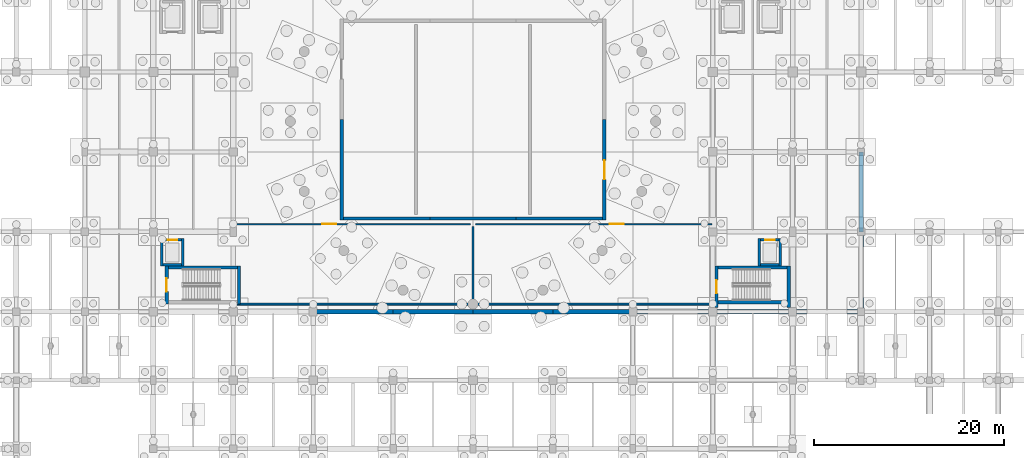
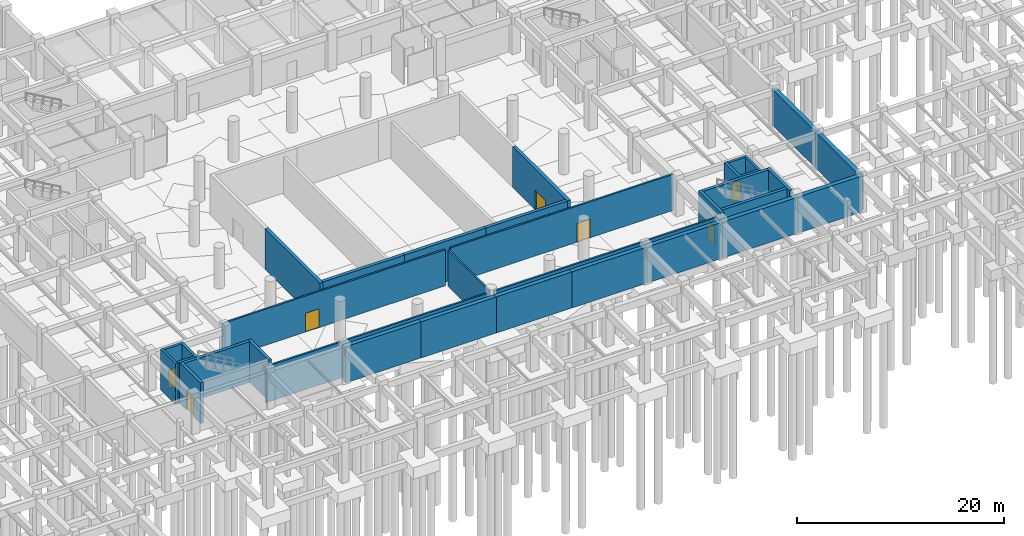
# One storey, part 31 of 44: 34 walls, 7 doors, 7 openings.
"""IFC4 building model written with IfcOpenShell, lengths in metres."""

from ifc_helpers import new_model, si_unit, direction, frame, frame_2d, origin, place, context, subcontext, project, spatial, rectangle, extrude, material, layer, layer_set, type_object, element, fill, save


model = new_model("IFC4")

# Units and contexts
model_context = context("Model", 3, precision=1e-05, world=origin(), true_north=direction((0.0, 1.0)))
body_context = subcontext(model_context, "Body", "Model", "MODEL_VIEW")
ifc_project = project(units=[si_unit("LENGTHUNIT", "METRE"), si_unit("AREAUNIT", "SQUARE_METRE"), si_unit("VOLUMEUNIT", "CUBIC_METRE"), si_unit("PLANEANGLEUNIT", "RADIAN"), si_unit("MASSUNIT", "GRAM", prefix="KILO")], contexts=[model_context])

# Site, building, storey
site_placement = place(None, origin())
site = spatial("IfcSite", under=ifc_project, at=site_placement, CompositionType="ELEMENT")
building_placement = place(site_placement, origin())
building = spatial("IfcBuilding", under=site, at=building_placement, Name="Korsvaeld Concert Hall", CompositionType="ELEMENT")
storey_placement = place(building_placement, frame((0.0, 0.0, -4.800048828125)))
storey = spatial("IfcBuildingStorey", under=building, at=storey_placement, Name="B1", CompositionType="ELEMENT", Elevation=-4.800048828125)

# Walls
ifc_material_1 = material(Name="Concrete C35/45", Category="concrete")
ifc_layer_1 = layer(ifc_material_1, 0.47998046875)
ifc_layer_set_1 = layer_set([ifc_layer_1], Name="Concrete C35/45")
wall_type_1 = type_object("IfcWallType", Name="WL-B1-RET-480", PredefinedType="SOLIDWALL", material=ifc_layer_set_1)
wall_1_placement = place(storey_placement, frame((124.800048828125, 43.199951171875, 0.0), z_axis=(0.0, 0.0, 1.0), x_axis=(-1.0, 0.0, 0.0)))
element("IfcWall", 1, at=wall_1_placement, inside=storey, type_object=wall_type_1, Name="Exterior sandstone wall B1-001", PredefinedType="SOLIDWALL", context=body_context, shape_type="SweptSolid", body=[
    extrude(rectangle(XDim=7.199951171875, YDim=0.47998046875, at=frame_2d((3.60009765625, 0.0))), origin(), (0.0, 0.0, 1.0), 4.25),
])
wall_2_placement = place(storey_placement, frame((117.60009765625, 43.199951171875, 0.0), z_axis=(0.0, 0.0, 1.0), x_axis=(-1.0, 0.0, 0.0)))
element("IfcWall", 2, at=wall_2_placement, inside=storey, type_object=wall_type_1, Name="Exterior sandstone wall B1-002", PredefinedType="SOLIDWALL", context=body_context, shape_type="SweptSolid", body=[
    extrude(rectangle(XDim=8.400146484375, YDim=0.47998046875, at=frame_2d((4.2001953125, 0.0))), origin(), (0.0, 0.0, 1.0), 4.25),
])
wall_3_placement = place(storey_placement, frame((109.199951171875, 43.199951171875, 0.0), z_axis=(0.0, 0.0, 1.0), x_axis=(-1.0, 0.0, 0.0)))
element("IfcWall", 3, at=wall_3_placement, inside=storey, type_object=wall_type_1, Name="Exterior sandstone wall B1-003", PredefinedType="SOLIDWALL", context=body_context, shape_type="SweptSolid", body=[
    extrude(rectangle(XDim=8.39990234375, YDim=0.47998046875, at=frame_2d((4.199951171875, 0.0))), origin(), (0.0, 0.0, 1.0), 4.25),
])
wall_4_placement = place(storey_placement, frame((100.800048828125, 43.199951171875, 0.0), z_axis=(0.0, 0.0, 1.0), x_axis=(-1.0, 0.0, 0.0)))
element("IfcWall", 4, at=wall_4_placement, inside=storey, type_object=wall_type_1, Name="Exterior sandstone wall B1-004", PredefinedType="SOLIDWALL", context=body_context, shape_type="SweptSolid", body=[
    extrude(rectangle(XDim=8.400146484375, YDim=0.47998046875, at=frame_2d((4.2001953125, 0.0))), origin(), (0.0, 0.0, 1.0), 4.25),
])
for number, where, z_axis, x_axis, name in (
    (5, (92.39990234375, 43.199951171875, 0.0), (0.0, 0.0, 1.0), (-1.0, 0.0, 0.0), "Exterior sandstone wall B1-005"),
    (6, (84.0, 43.199951171875, 0.0), (0.0, 0.0, 1.0), (-1.0, 0.0, 0.0), "Exterior sandstone wall B1-006"),
):
    element("IfcWall", number, at=place(storey_placement, frame(where, z_axis=z_axis, x_axis=x_axis)), inside=storey, type_object=wall_type_1, Name=name, PredefinedType="SOLIDWALL", context=body_context, shape_type="SweptSolid", body=[
        extrude(rectangle(XDim=8.39990234375, YDim=0.47998046875, at=frame_2d((4.199951171875, 0.0))), origin(), (0.0, 0.0, 1.0), 4.25),
    ])
wall_5_placement = place(storey_placement, frame((75.60009765625, 43.199951171875, 0.0), z_axis=(0.0, 0.0, 1.0), x_axis=(-1.0, 0.0, 0.0)))
element("IfcWall", 7, at=wall_5_placement, inside=storey, type_object=wall_type_1, Name="Exterior sandstone wall B1-007", PredefinedType="SOLIDWALL", context=body_context, shape_type="SweptSolid", body=[
    extrude(rectangle(XDim=8.400146484375, YDim=0.47998046875, at=frame_2d((4.2001953125, 0.0))), origin(), (0.0, 0.0, 1.0), 4.25),
])
wall_6_placement = place(storey_placement, frame((124.800048828125, 60.0, 0.0), z_axis=(0.0, 0.0, 1.0), x_axis=(0.0, -1.0, 0.0)))
element("IfcWall", 8, at=wall_6_placement, inside=storey, type_object=wall_type_1, Name="Exterior sandstone wall B1-051", PredefinedType="SOLIDWALL", context=body_context, shape_type="SweptSolid", body=[
    extrude(rectangle(XDim=8.39990234375, YDim=0.47998046875, at=frame_2d((4.199951171875, 0.0))), origin(), (0.0, 0.0, 1.0), 4.25),
])
wall_7_placement = place(storey_placement, frame((124.800048828125, 51.60009765625, 0.0), z_axis=(0.0, 0.0, 1.0), x_axis=(0.0, -1.0, 0.0)))
element("IfcWall", 9, at=wall_7_placement, inside=storey, type_object=wall_type_1, Name="Exterior sandstone wall B1-052", PredefinedType="SOLIDWALL", context=body_context, shape_type="SweptSolid", body=[
    extrude(rectangle(XDim=8.400146484375, YDim=0.47998046875, at=frame_2d((4.2001953125, 0.0))), origin(), (0.0, 0.0, 1.0), 4.25),
])
ifc_material_2 = material(Name="Concrete C40/50", Category="concrete")
ifc_layer_2 = layer(ifc_material_2, 0.340087890625)
ifc_layer_set_2 = layer_set([ifc_layer_2], Name="Concrete C40/50")
wall_type_2 = type_object("IfcWallType", Name="WL-CORE-340", PredefinedType="SHEAR", material=ifc_layer_set_2)
wall_8_placement = place(storey_placement, frame((59.39990234375, 44.030029296875, 0.0), z_axis=(0.0, 0.0, 1.0), x_axis=(0.0, 1.0, 0.0)))
element("IfcWall", 10, at=wall_8_placement, inside=storey, type_object=wall_type_2, Name="Core K3 shear wall B1 E", PredefinedType="SHEAR", context=body_context, shape_type="SweptSolid", body=[
    extrude(rectangle(XDim=3.97998046875, YDim=0.340087890625, at=frame_2d((1.989990234375, 0.0))), origin(), (0.0, 0.0, 1.0), 4.800048828125),
])
wall_9_placement = place(storey_placement, frame((59.22998046875, 47.840087890625, 0.0), z_axis=(0.0, 0.0, 1.0), x_axis=(-1.0, 0.0, 0.0)))
element("IfcWall", 11, at=wall_9_placement, inside=storey, type_object=wall_type_2, Name="Core K3 shear wall B1 N", PredefinedType="SHEAR", context=body_context, shape_type="SweptSolid", body=[
    extrude(rectangle(XDim=7.260009765625, YDim=0.340087890625, at=frame_2d((3.6298828125, 0.0))), origin(), (0.0, 0.0, 1.0), 4.800048828125),
])

# Wall, opening, door
wall_10_placement = place(storey_placement, frame((51.800048828125, 48.010009765625, 0.0), z_axis=(0.0, 0.0, 1.0), x_axis=(0.0, -1.0, 0.0)))
wall_10 = element("IfcWall", 12, at=wall_10_placement, inside=storey, type_object=wall_type_2, Name="Core K3 shear wall B1 W", PredefinedType="SHEAR", context=body_context, shape_type="SweptSolid", body=[
    extrude(rectangle(XDim=3.97998046875, YDim=0.340087890625, at=frame_2d((1.989990234375, 0.0))), origin(), (0.0, 0.0, 1.0), 4.800048828125),
])
opening_1_placement = place(wall_10_placement, frame((1.2900390625, 0.0, 0.0)))
opening_1 = element("IfcOpeningElement", 13, at=opening_1_placement, cuts=wall_10, Name="Opening FD-02", PredefinedType="OPENING", context=body_context, shape_type="SweptSolid", body=[
    extrude(rectangle(XDim=1.39990234375, YDim=2.14990234375, at=frame_2d((0.699951171875, 1.074951171875))), frame((0.0, 0.18017578125, 0.0), z_axis=(0.0, -1.0, 0.0), x_axis=(1.0, 0.0, 0.0)), (0.0, 0.0, 1.0), 0.360107421875),
])
ifc_material_3 = material(Name="Acoustic steel and oak fire door", Category="steel")
door_type_1 = type_object("IfcDoorType", Name="DR-FD-STAIR-140x215", OperationType="NOTDEFINED", PredefinedType="DOOR", material=ifc_material_3)
door_1_placement = place(opening_1_placement, origin())
door_1 = element("IfcDoor", 14, at=door_1_placement, inside=storey, type_object=door_type_1, Name="Escape stair ST-K3 fire door B1", OperationType="SINGLE_SWING_LEFT", OverallHeight=2.14990234375, OverallWidth=1.39990234375, PredefinedType="DOOR", context=body_context, shape_type="SweptSolid", body=[
    extrude(rectangle(XDim=1.39990234375, YDim=2.14990234375, at=frame_2d((0.699951171875, 1.074951171875))), frame((0.0, 0.02490234375, 0.0), z_axis=(0.0, -1.0, 0.0), x_axis=(1.0, 0.0, 0.0)), (0.0, 0.0, 1.0), 0.050048828125),
])
fill(opening_1, door_1)

# Walls
wall_11_placement = place(storey_placement, frame((109.77001953125, 44.199951171875, 0.0), z_axis=(0.0, 0.0, 1.0), x_axis=(1.0, 0.0, 0.0)))
element("IfcWall", 15, at=wall_11_placement, inside=storey, type_object=wall_type_2, Name="Core K4 shear wall B1 S", PredefinedType="SHEAR", context=body_context, shape_type="SweptSolid", body=[
    extrude(rectangle(XDim=7.260009765625, YDim=0.340087890625, at=frame_2d((3.6298828125, 0.0))), origin(), (0.0, 0.0, 1.0), 4.800048828125),
])
wall_12_placement = place(storey_placement, frame((117.199951171875, 43.625, 0.0), z_axis=(0.0, 0.0, 1.0), x_axis=(0.0, 1.0, 0.0)))
element("IfcWall", 16, at=wall_12_placement, inside=storey, type_object=wall_type_2, Name="Core K4 shear wall B1 E", PredefinedType="SHEAR", context=body_context, shape_type="SweptSolid", body=[
    extrude(rectangle(XDim=4.385009765625, YDim=0.340087890625, at=frame_2d((2.1923828125, 0.0))), origin(), (0.0, 0.0, 1.0), 4.800048828125),
])
wall_13_placement = place(storey_placement, frame((117.030029296875, 47.840087890625, 0.0), z_axis=(0.0, 0.0, 1.0), x_axis=(-1.0, 0.0, 0.0)))
element("IfcWall", 17, at=wall_13_placement, inside=storey, type_object=wall_type_2, Name="Core K4 shear wall B1 N", PredefinedType="SHEAR", context=body_context, shape_type="SweptSolid", body=[
    extrude(rectangle(XDim=7.260009765625, YDim=0.340087890625, at=frame_2d((3.6298828125, 0.0))), origin(), (0.0, 0.0, 1.0), 4.800048828125),
])

# Wall, opening, door
wall_14_placement = place(storey_placement, frame((109.60009765625, 48.010009765625, 0.0), z_axis=(0.0, 0.0, 1.0), x_axis=(0.0, -1.0, 0.0)))
wall_14 = element("IfcWall", 18, at=wall_14_placement, inside=storey, type_object=wall_type_2, Name="Core K4 shear wall B1 W", PredefinedType="SHEAR", context=body_context, shape_type="SweptSolid", body=[
    extrude(rectangle(XDim=4.360107421875, YDim=0.340087890625, at=frame_2d((2.18017578125, 0.0))), origin(), (0.0, 0.0, 1.0), 4.800048828125),
])
opening_2_placement = place(wall_14_placement, frame((1.47998046875, 0.0, 0.0)))
opening_2 = element("IfcOpeningElement", 19, at=opening_2_placement, cuts=wall_14, Name="Opening FD-02", PredefinedType="OPENING", context=body_context, shape_type="SweptSolid", body=[
    extrude(rectangle(XDim=1.39990234375, YDim=2.14990234375, at=frame_2d((0.699951171875, 1.074951171875))), frame((0.0, 0.18017578125, 0.0), z_axis=(0.0, -1.0, 0.0), x_axis=(1.0, 0.0, 0.0)), (0.0, 0.0, 1.0), 0.360107421875),
])
door_2_placement = place(opening_2_placement, origin())
door_2 = element("IfcDoor", 20, at=door_2_placement, inside=storey, type_object=door_type_1, Name="Escape stair ST-K4 fire door B1", OperationType="SINGLE_SWING_RIGHT", OverallHeight=2.14990234375, OverallWidth=1.39990234375, PredefinedType="DOOR", context=body_context, shape_type="SweptSolid", body=[
    extrude(rectangle(XDim=1.39990234375, YDim=2.14990234375, at=frame_2d((0.699951171875, 1.074951171875))), frame((0.0, 0.02490234375, 0.0), z_axis=(0.0, -1.0, 0.0), x_axis=(1.0, 0.0, 0.0)), (0.0, 0.0, 1.0), 0.050048828125),
])
fill(opening_2, door_2)

# Walls
ifc_material_4 = material(Name="Double acoustic gypsum fire compartment wall")
ifc_layer_3 = layer(ifc_material_4, 0.199951171875)
ifc_layer_set_3 = layer_set([ifc_layer_3], Name="Double acoustic gypsum fire compartment wall")
wall_type_3 = type_object("IfcWallType", Name="WL-FIRE-200", PredefinedType="PARTITIONING", material=ifc_layer_set_3)
wall_15_placement = place(storey_placement, frame((58.860107421875, 44.0, 0.0), z_axis=(0.0, 0.0, 1.0), x_axis=(1.0, 0.0, 0.0)))
element("IfcWall", 21, at=wall_15_placement, inside=storey, type_object=wall_type_3, Name="Interior partition B1-17 S", PredefinedType="PARTITIONING", context=body_context, shape_type="SweptSolid", body=[
    extrude(rectangle(XDim=24.8798828125, YDim=0.199951171875, at=frame_2d((12.43994140625, 0.0))), origin(), (0.0, 0.0, 1.0), 4.25),
])
wall_16_placement = place(storey_placement, frame((84.0, 44.260009765625, 0.0), z_axis=(0.0, 0.0, 1.0), x_axis=(0.0, 1.0, 0.0)))
element("IfcWall", 22, at=wall_16_placement, inside=storey, type_object=wall_type_3, Name="Interior partition B1-17 E", PredefinedType="PARTITIONING", context=body_context, shape_type="SweptSolid", body=[
    extrude(rectangle(XDim=7.8798828125, YDim=0.199951171875, at=frame_2d((3.93994140625, 0.0))), origin(), (0.0, 0.0, 1.0), 4.25),
])

# Wall, opening, door
wall_17_placement = place(storey_placement, frame((83.739990234375, 52.39990234375, 0.0), z_axis=(0.0, 0.0, 1.0), x_axis=(-1.0, 0.0, 0.0)))
wall_17 = element("IfcWall", 23, at=wall_17_placement, inside=storey, type_object=wall_type_3, Name="Interior partition B1-17 N", PredefinedType="PARTITIONING", context=body_context, shape_type="SweptSolid", body=[
    extrude(rectangle(XDim=24.8798828125, YDim=0.199951171875, at=frame_2d((12.43994140625, 0.0))), origin(), (0.0, 0.0, 1.0), 4.25),
])
opening_3_placement = place(wall_17_placement, frame((14.090087890625, 0.0, 0.0)))
opening_3 = element("IfcOpeningElement", 24, at=opening_3_placement, cuts=wall_17, Name="Opening FD-07", PredefinedType="OPENING", context=body_context, shape_type="SweptSolid", body=[
    extrude(rectangle(XDim=1.5, YDim=2.199951171875, at=frame_2d((0.75, 1.10009765625))), frame((0.0, 0.10986328125, 0.0), z_axis=(0.0, -1.0, 0.0), x_axis=(1.0, 0.0, 0.0)), (0.0, 0.0, 1.0), 0.219970703125),
])
ifc_material_5 = material(Name="Acoustic steel plant fire door", Category="steel")
door_type_2 = type_object("IfcDoorType", Name="DR-FD-PLANT-150x220", OperationType="DOUBLE_DOOR_SINGLE_SWING", PredefinedType="DOOR", material=ifc_material_5)
door_3_placement = place(opening_3_placement, origin())
door_3 = element("IfcDoor", 25, at=door_3_placement, inside=storey, type_object=door_type_2, Name="Acoustic VAV Air-Handling Plant Room door B1-17", OperationType="DOUBLE_DOOR_SINGLE_SWING", OverallHeight=2.199951171875, OverallWidth=1.5, PredefinedType="DOOR", context=body_context, shape_type="SweptSolid", body=[
    extrude(rectangle(XDim=1.5, YDim=2.199951171875, at=frame_2d((0.75, 1.10009765625))), frame((0.0, 0.02490234375, 0.0), z_axis=(0.0, -1.0, 0.0), x_axis=(1.0, 0.0, 0.0)), (0.0, 0.0, 1.0), 0.050048828125),
])
fill(opening_3, door_3)

# Wall
wall_18_placement = place(storey_placement, frame((84.260009765625, 44.0, 0.0), z_axis=(0.0, 0.0, 1.0), x_axis=(1.0, 0.0, 0.0)))
element("IfcWall", 26, at=wall_18_placement, inside=storey, type_object=wall_type_3, Name="Interior partition B1-18 S", PredefinedType="PARTITIONING", context=body_context, shape_type="SweptSolid", body=[
    extrude(rectangle(XDim=24.8798828125, YDim=0.199951171875, at=frame_2d((12.43994140625, 0.0))), origin(), (0.0, 0.0, 1.0), 4.25),
])

# Wall, opening, door
wall_19_placement = place(storey_placement, frame((109.139892578125, 52.39990234375, 0.0), z_axis=(0.0, 0.0, 1.0), x_axis=(-1.0, 0.0, 0.0)))
wall_19 = element("IfcWall", 27, at=wall_19_placement, inside=storey, type_object=wall_type_3, Name="Interior partition B1-18 N", PredefinedType="PARTITIONING", context=body_context, shape_type="SweptSolid", body=[
    extrude(rectangle(XDim=24.8798828125, YDim=0.199951171875, at=frame_2d((12.43994140625, 0.0))), origin(), (0.0, 0.0, 1.0), 4.25),
])
opening_4_placement = place(wall_19_placement, frame((9.2900390625, 0.0, 0.0)))
opening_4 = element("IfcOpeningElement", 28, at=opening_4_placement, cuts=wall_19, Name="Opening FD-07", PredefinedType="OPENING", context=body_context, shape_type="SweptSolid", body=[
    extrude(rectangle(XDim=1.5, YDim=2.199951171875, at=frame_2d((0.75, 1.10009765625))), frame((0.0, 0.10986328125, 0.0), z_axis=(0.0, -1.0, 0.0), x_axis=(1.0, 0.0, 0.0)), (0.0, 0.0, 1.0), 0.219970703125),
])
door_4_placement = place(opening_4_placement, origin())
door_4 = element("IfcDoor", 29, at=door_4_placement, inside=storey, type_object=door_type_2, Name="District Heating & Chilled-Water Plant Room door B1-18", OperationType="DOUBLE_DOOR_SINGLE_SWING", OverallHeight=2.199951171875, OverallWidth=1.5, PredefinedType="DOOR", context=body_context, shape_type="SweptSolid", body=[
    extrude(rectangle(XDim=1.5, YDim=2.199951171875, at=frame_2d((0.75, 1.10009765625))), frame((0.0, 0.02490234375, 0.0), z_axis=(0.0, -1.0, 0.0), x_axis=(1.0, 0.0, 0.0)), (0.0, 0.0, 1.0), 0.050048828125),
])
fill(opening_4, door_4)

# Walls
ifc_material_6 = material(Name="Bornholm Nexo crimson sandstone on Concrete C40/50", Category="masonry")
ifc_layer_4 = layer(ifc_material_6, 0.360107421875)
ifc_layer_set_4 = layer_set([ifc_layer_4], Name="Bornholm Nexo crimson sandstone on Concrete C40/50")
wall_type_4 = type_object("IfcWallType", Name="WL-HALL-360", PredefinedType="SHEAR", material=ifc_layer_set_4)
for number, where, z_axis, x_axis, name in (
    (30, (70.3798828125, 53.0, 0.0), (0.0, 0.0, 1.0), (1.0, 0.0, 0.0), "Acoustic hall box wall V1H B1 S.1"),
    (31, (79.4599609375, 53.0, 0.0), (0.0, 0.0, 1.0), (1.0, 0.0, 0.0), "Acoustic hall box wall V1H B1 S.2"),
    (32, (88.5400390625, 53.0, 0.0), (0.0, 0.0, 1.0), (1.0, 0.0, 0.0), "Acoustic hall box wall V1H B1 S.3"),
):
    element("IfcWall", number, at=place(storey_placement, frame(where, z_axis=z_axis, x_axis=x_axis)), inside=storey, type_object=wall_type_4, Name=name, PredefinedType="SHEAR", context=body_context, shape_type="SweptSolid", body=[
        extrude(rectangle(XDim=9.080078125, YDim=0.360107421875, at=frame_2d((4.5400390625, 0.0))), origin(), (0.0, 0.0, 1.0), 4.800048828125),
    ])

# Wall, opening, door
wall_20_placement = place(storey_placement, frame((97.800048828125, 52.820068359375, 0.0), z_axis=(0.0, 0.0, 1.0), x_axis=(0.0, 1.0, 0.0)))
wall_20 = element("IfcWall", 33, at=wall_20_placement, inside=storey, type_object=wall_type_4, Name="Acoustic hall box wall V1H B1 E.1", PredefinedType="SHEAR", context=body_context, shape_type="SweptSolid", body=[
    extrude(rectangle(XDim=10.579833984375, YDim=0.360107421875, at=frame_2d((5.2900390625, 0.0))), origin(), (0.0, 0.0, 1.0), 4.800048828125),
])
opening_5_placement = place(wall_20_placement, frame((4.2900390625, 0.0, 0.0)))
opening_5 = element("IfcOpeningElement", 34, at=opening_5_placement, cuts=wall_20, Name="Opening FD-04", PredefinedType="OPENING", context=body_context, shape_type="SweptSolid", body=[
    extrude(rectangle(XDim=2.0, YDim=2.25, at=frame_2d((1.0, 1.125))), frame((0.0, 0.18994140625, 0.0), z_axis=(0.0, -1.0, 0.0), x_axis=(1.0, 0.0, 0.0)), (0.0, 0.0, 1.0), 0.380126953125),
])
ifc_material_7 = material(Name="Double acoustic oak sound-lock fire door")
door_type_3 = type_object("IfcDoorType", Name="DR-FD-HALL-200x225", OperationType="DOUBLE_DOOR_SINGLE_SWING", PredefinedType="DOOR", material=ifc_material_7)
door_5_placement = place(opening_5_placement, frame((2.0, 0.0, 0.0), z_axis=(0.0, 0.0, 1.0), x_axis=(-1.0, 0.0, 0.0)))
door_5 = element("IfcDoor", 35, at=door_5_placement, inside=storey, type_object=door_type_3, Name="Auditorium sound-lock fire door V1H B1 E.1", OperationType="DOUBLE_DOOR_SINGLE_SWING", OverallHeight=2.25, OverallWidth=2.0, PredefinedType="DOOR", context=body_context, shape_type="SweptSolid", body=[
    extrude(rectangle(XDim=2.0, YDim=2.25, at=frame_2d((1.0, 1.125))), frame((0.0, 0.02490234375, 0.0), z_axis=(0.0, -1.0, 0.0), x_axis=(1.0, 0.0, 0.0)), (0.0, 0.0, 1.0), 0.050048828125),
])
fill(opening_5, door_5)

# Walls
wall_21_placement = place(storey_placement, frame((70.199951171875, 63.39990234375, 0.0), z_axis=(0.0, 0.0, 1.0), x_axis=(0.0, -1.0, 0.0)))
element("IfcWall", 36, at=wall_21_placement, inside=storey, type_object=wall_type_4, Name="Acoustic hall box wall V1H B1 W.2", PredefinedType="SHEAR", context=body_context, shape_type="SweptSolid", body=[
    extrude(rectangle(XDim=10.579833984375, YDim=0.360107421875, at=frame_2d((5.2900390625, 0.0))), origin(), (0.0, 0.0, 1.0), 4.800048828125),
])
ifc_layer_5 = layer(ifc_material_2, 0.280029296875)
ifc_layer_set_5 = layer_set([ifc_layer_5], Name="Concrete C40/50")
wall_type_5 = type_object("IfcWallType", Name="WL-SHAFT-280", PredefinedType="SHEAR", material=ifc_layer_set_5)
wall_22_placement = place(storey_placement, frame((51.43994140625, 48.14990234375, 0.0), z_axis=(0.0, 0.0, 1.0), x_axis=(1.0, 0.0, 0.0)))
element("IfcWall", 37, at=wall_22_placement, inside=storey, type_object=wall_type_5, Name="Lift LP-05 shaft wall B1 S", PredefinedType="SHEAR", context=body_context, shape_type="SweptSolid", body=[
    extrude(rectangle(XDim=1.920166015625, YDim=0.280029296875, at=frame_2d((0.9599609375, 0.0))), origin(), (0.0, 0.0, 1.0), 4.800048828125),
])
wall_23_placement = place(storey_placement, frame((53.5, 48.010009765625, 0.0), z_axis=(0.0, 0.0, 1.0), x_axis=(0.0, 1.0, 0.0)))
element("IfcWall", 38, at=wall_23_placement, inside=storey, type_object=wall_type_5, Name="Lift LP-05 shaft wall B1 E", PredefinedType="SHEAR", context=body_context, shape_type="SweptSolid", body=[
    extrude(rectangle(XDim=2.8798828125, YDim=0.280029296875, at=frame_2d((1.43994140625, 0.0))), origin(), (0.0, 0.0, 1.0), 4.800048828125),
])

# Wall, opening, door
wall_24_placement = place(storey_placement, frame((53.360107421875, 50.75, 0.0), z_axis=(0.0, 0.0, 1.0), x_axis=(-1.0, 0.0, 0.0)))
wall_24 = element("IfcWall", 39, at=wall_24_placement, inside=storey, type_object=wall_type_5, Name="Lift LP-05 shaft wall B1 N", PredefinedType="SHEAR", context=body_context, shape_type="SweptSolid", body=[
    extrude(rectangle(XDim=1.920166015625, YDim=0.280029296875, at=frame_2d((0.9599609375, 0.0))), origin(), (0.0, 0.0, 1.0), 4.800048828125),
])
opening_6_placement = place(wall_24_placement, frame((0.4599609375, 0.0, 0.0)))
opening_6 = element("IfcOpeningElement", 40, at=opening_6_placement, cuts=wall_24, Name="Opening LD-02", PredefinedType="OPENING", context=body_context, shape_type="SweptSolid", body=[
    extrude(rectangle(XDim=1.0, YDim=2.14990234375, at=frame_2d((0.5, 1.074951171875))), frame((0.0, 0.14990234375, 0.0), z_axis=(0.0, -1.0, 0.0), x_axis=(1.0, 0.0, 0.0)), (0.0, 0.0, 1.0), 0.300048828125),
])
ifc_material_8 = material(Name="Brushed bronze-stainless sliding lift landing door")
door_type_4 = type_object("IfcDoorType", Name="DR-LD-PASS-100x215", OperationType="NOTDEFINED", PredefinedType="DOOR", material=ifc_material_8)
door_6_placement = place(opening_6_placement, origin())
door_6 = element("IfcDoor", 41, at=door_6_placement, inside=storey, type_object=door_type_4, Name="Lift landing door LP-05 B1", OperationType="SLIDING_TO_LEFT", OverallHeight=2.14990234375, OverallWidth=1.0, PredefinedType="DOOR", context=body_context, shape_type="SweptSolid", body=[
    extrude(rectangle(XDim=1.0, YDim=2.14990234375, at=frame_2d((0.5, 1.074951171875))), frame((0.0, 0.02490234375, 0.0), z_axis=(0.0, -1.0, 0.0), x_axis=(1.0, 0.0, 0.0)), (0.0, 0.0, 1.0), 0.050048828125),
])
fill(opening_6, door_6)

# Walls
wall_25_placement = place(storey_placement, frame((51.300048828125, 50.889892578125, 0.0), z_axis=(0.0, 0.0, 1.0), x_axis=(0.0, -1.0, 0.0)))
element("IfcWall", 42, at=wall_25_placement, inside=storey, type_object=wall_type_5, Name="Lift LP-05 shaft wall B1 W", PredefinedType="SHEAR", context=body_context, shape_type="SweptSolid", body=[
    extrude(rectangle(XDim=2.8798828125, YDim=0.280029296875, at=frame_2d((1.43994140625, 0.0))), origin(), (0.0, 0.0, 1.0), 4.800048828125),
])
wall_26_placement = place(storey_placement, frame((114.239990234375, 48.14990234375, 0.0), z_axis=(0.0, 0.0, 1.0), x_axis=(1.0, 0.0, 0.0)))
element("IfcWall", 43, at=wall_26_placement, inside=storey, type_object=wall_type_5, Name="Lift LP-06 shaft wall B1 S", PredefinedType="SHEAR", context=body_context, shape_type="SweptSolid", body=[
    extrude(rectangle(XDim=1.919921875, YDim=0.280029296875, at=frame_2d((0.9599609375, 0.0))), origin(), (0.0, 0.0, 1.0), 4.800048828125),
])
wall_27_placement = place(storey_placement, frame((116.300048828125, 48.010009765625, 0.0), z_axis=(0.0, 0.0, 1.0), x_axis=(0.0, 1.0, 0.0)))
element("IfcWall", 44, at=wall_27_placement, inside=storey, type_object=wall_type_5, Name="Lift LP-06 shaft wall B1 E", PredefinedType="SHEAR", context=body_context, shape_type="SweptSolid", body=[
    extrude(rectangle(XDim=2.8798828125, YDim=0.280029296875, at=frame_2d((1.43994140625, 0.0))), origin(), (0.0, 0.0, 1.0), 4.800048828125),
])

# Wall, opening, door
wall_28_placement = place(storey_placement, frame((116.159912109375, 50.75, 0.0), z_axis=(0.0, 0.0, 1.0), x_axis=(-1.0, 0.0, 0.0)))
wall_28 = element("IfcWall", 45, at=wall_28_placement, inside=storey, type_object=wall_type_5, Name="Lift LP-06 shaft wall B1 N", PredefinedType="SHEAR", context=body_context, shape_type="SweptSolid", body=[
    extrude(rectangle(XDim=1.919921875, YDim=0.280029296875, at=frame_2d((0.9599609375, 0.0))), origin(), (0.0, 0.0, 1.0), 4.800048828125),
])
opening_7_placement = place(wall_28_placement, frame((0.4599609375, 0.0, 0.0)))
opening_7 = element("IfcOpeningElement", 46, at=opening_7_placement, cuts=wall_28, Name="Opening LD-02", PredefinedType="OPENING", context=body_context, shape_type="SweptSolid", body=[
    extrude(rectangle(XDim=1.0, YDim=2.14990234375, at=frame_2d((0.5, 1.074951171875))), frame((0.0, 0.14990234375, 0.0), z_axis=(0.0, -1.0, 0.0), x_axis=(1.0, 0.0, 0.0)), (0.0, 0.0, 1.0), 0.300048828125),
])
door_7_placement = place(opening_7_placement, origin())
door_7 = element("IfcDoor", 47, at=door_7_placement, inside=storey, type_object=door_type_4, Name="Lift landing door LP-06 B1", OperationType="SLIDING_TO_RIGHT", OverallHeight=2.14990234375, OverallWidth=1.0, PredefinedType="DOOR", context=body_context, shape_type="SweptSolid", body=[
    extrude(rectangle(XDim=1.0, YDim=2.14990234375, at=frame_2d((0.5, 1.074951171875))), frame((0.0, 0.02490234375, 0.0), z_axis=(0.0, -1.0, 0.0), x_axis=(1.0, 0.0, 0.0)), (0.0, 0.0, 1.0), 0.050048828125),
])
fill(opening_7, door_7)

# Wall
wall_29_placement = place(storey_placement, frame((114.10009765625, 50.889892578125, 0.0), z_axis=(0.0, 0.0, 1.0), x_axis=(0.0, -1.0, 0.0)))
element("IfcWall", 48, at=wall_29_placement, inside=storey, type_object=wall_type_5, Name="Lift LP-06 shaft wall B1 W", PredefinedType="SHEAR", context=body_context, shape_type="SweptSolid", body=[
    extrude(rectangle(XDim=2.8798828125, YDim=0.280029296875, at=frame_2d((1.43994140625, 0.0))), origin(), (0.0, 0.0, 1.0), 4.800048828125),
])

save(model, "model.ifc")
